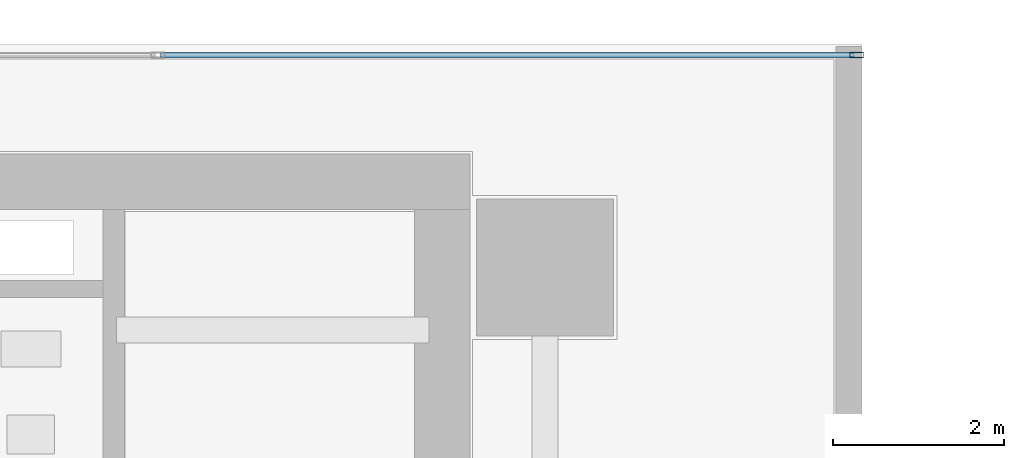
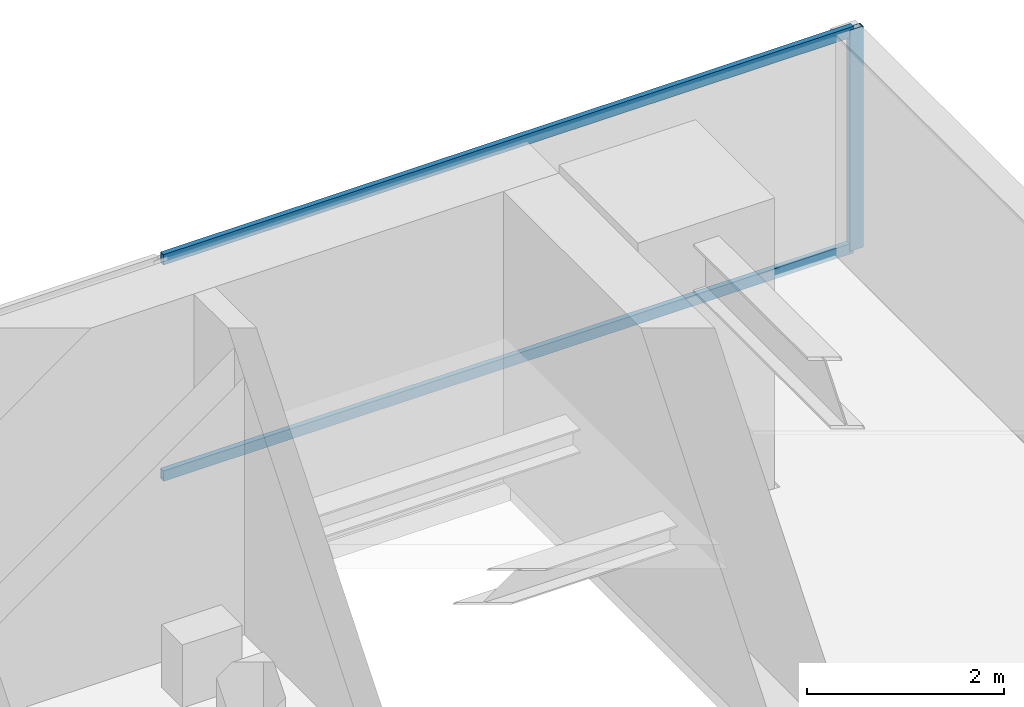
# One storey, part 26 of 37: 3 members, 1 element without a shape of its own.
"""IFC4 building model written with IfcOpenShell, lengths in metres."""

import ifcopenshell
import ifcopenshell.guid

model = None  # the IFC model being written
_history = None  # IfcOwnerHistory: only IFC2X3 demands one
_inside = {}  # id of a spatial element -> (the spatial element, [elements in it])
_under = {}  # id of a project, library or spatial element -> (it, [spatial elements below it])
_declared = {}  # id of a project -> (the project, [libraries it declares])
_typed = {}  # id of a type object -> (the type object, [elements of that type])
_made_of = {}  # id of a material, layer set ... -> (it, [elements and type objects made of it])


def new_model(schema):
    """Start an empty IFC model of exactly this schema.

    Asked for "IFC4X3", IfcOpenShell would pick the latest addendum, in which some entities
    have other attributes; the version numbers below select the first issue.
    IFC2X3 requires an IfcOwnerHistory on every rooted entity: one is made here for all.
    """
    global model, _history
    if schema == "IFC4X3":
        model = ifcopenshell.file(schema_version=(4, 3, 0, 0))
    else:
        model = ifcopenshell.file(schema=schema)
    _inside.clear()
    _under.clear()
    _declared.clear()
    _typed.clear()
    _made_of.clear()
    _history = None
    if model.schema == "IFC2X3":
        org = make("IfcOrganization", Name="unknown")
        user = make(
            "IfcPersonAndOrganization",
            ThePerson=make("IfcPerson", FamilyName="unknown"),
            TheOrganization=org,
        )
        app = make(
            "IfcApplication",
            ApplicationDeveloper=org,
            Version="unknown",
            ApplicationFullName="unknown",
            ApplicationIdentifier="unknown",
        )
        _history = make(
            "IfcOwnerHistory",
            OwningUser=user,
            OwningApplication=app,
            ChangeAction="ADDED",
            CreationDate=0,
        )
    return model


def make(cls, **values):
    """One entity of the class cls with the attributes given. An attribute that is None is left unset."""
    return model.create_entity(
        cls, **{name: value for name, value in values.items() if value is not None}
    )


def rooted(cls, **values):
    """An entity with a GlobalId (a new one), such as an element, a storey or a relation."""
    return make(cls, GlobalId=ifcopenshell.guid.new(), OwnerHistory=_history, **values)


def si_unit(unit_type, name, prefix=None):
    """IfcSIUnit, for example si_unit("LENGTHUNIT", "METRE", prefix="MILLI")."""
    return make("IfcSIUnit", UnitType=unit_type, Prefix=prefix, Name=name)


def assignment(units):
    """IfcUnitAssignment: the units of a project."""
    return None if units is None else make("IfcUnitAssignment", Units=units)


def point(xyz):
    """IfcCartesianPoint."""
    return None if xyz is None else make("IfcCartesianPoint", Coordinates=xyz)


def direction(xyz):
    """IfcDirection."""
    return None if xyz is None else make("IfcDirection", DirectionRatios=xyz)


def frame(location, z_axis=None, x_axis=None):
    """IfcAxis2Placement3D, a coordinate frame: its origin and axes. An axis left out is left unset."""
    return make(
        "IfcAxis2Placement3D",
        Location=point(location),
        Axis=direction(z_axis),
        RefDirection=direction(x_axis),
    )


def frame_2d(location, x_axis=None):
    """IfcAxis2Placement2D, a coordinate frame in the plane: its origin and x axis."""
    return make(
        "IfcAxis2Placement2D", Location=point(location), RefDirection=direction(x_axis)
    )


def origin():
    """The frame at (0, 0, 0) with its axes left unset."""
    return frame((0.0, 0.0, 0.0))


def origin_2d():
    """The frame at (0, 0) in the plane with its x axis left unset."""
    return frame_2d((0.0, 0.0))


def place(relative_to, where):
    """IfcLocalPlacement: puts the frame where relative to a parent placement (None: the world)."""
    return make(
        "IfcLocalPlacement", PlacementRelTo=relative_to, RelativePlacement=where
    )


def context(
    kind, dimensions, precision=None, world=None, true_north=None, identifier=None
):
    """IfcGeometricRepresentationContext, for example the 3D "Model" context."""
    return make(
        "IfcGeometricRepresentationContext",
        ContextIdentifier=identifier,
        ContextType=kind,
        CoordinateSpaceDimension=dimensions,
        Precision=precision,
        WorldCoordinateSystem=world,
        TrueNorth=true_north,
    )


def subcontext(parent, identifier, kind, view, scale=None):
    """IfcGeometricRepresentationSubContext, for example "Body" below "Model"."""
    return make(
        "IfcGeometricRepresentationSubContext",
        ContextIdentifier=identifier,
        ContextType=kind,
        ParentContext=parent,
        TargetScale=scale,
        TargetView=view,
    )


def project(units=None, contexts=None):
    """IfcProject with its units and contexts."""
    return rooted(
        "IfcProject",
        Name="project",
        RepresentationContexts=contexts,
        UnitsInContext=assignment(units),
    )


def spatial(cls, under=None, at=None, **own):
    """A site, building, storey or space (cls), placed at a placement, below another one or the project."""
    s = rooted(cls, ObjectPlacement=at, **own)
    if under is not None:
        _under.setdefault(under.id(), (under, []))[1].append(s)
    return s


def profile(cls, at=None, kind="AREA", **sizes):
    """A parametric profile (cls). Its sizes go by their IFC names, for example OverallWidth=200.0."""
    return make(cls, ProfileType=kind, Position=at, **sizes)


def hollow_rectangle(**sizes):
    """IfcRectangleHollowProfileDef."""
    return profile("IfcRectangleHollowProfileDef", **sizes)


def extrude(swept, where, along, depth):
    """IfcExtrudedAreaSolid: the profile swept, set in the frame where, extruded along a direction by depth."""
    return make(
        "IfcExtrudedAreaSolid",
        SweptArea=swept,
        Position=where,
        ExtrudedDirection=direction(along),
        Depth=depth,
    )


def shape(context_of_items, identifier, shape_type, items):
    """IfcShapeRepresentation: the items that make up one representation, for example the "Body"."""
    return make(
        "IfcShapeRepresentation",
        ContextOfItems=context_of_items,
        RepresentationIdentifier=identifier,
        RepresentationType=shape_type,
        Items=items,
    )


def source(mapping_origin, context_of_items, identifier, shape_type, items):
    """IfcRepresentationMap: a shape defined once, which mapped items show again and again."""
    return make(
        "IfcRepresentationMap",
        MappingOrigin=mapping_origin,
        MappedRepresentation=shape(context_of_items, identifier, shape_type, items),
    )


def transform(
    local_origin,
    x_axis=None,
    y_axis=None,
    z_axis=None,
    scale=None,
    scale2=None,
    scale3=None,
    uniform=True,
):
    """IfcCartesianTransformationOperator3D, or its non-uniform kind. x_axis, y_axis, z_axis: its Axis1, 2, 3."""
    if uniform:
        return make(
            "IfcCartesianTransformationOperator3D",
            Axis1=direction(x_axis),
            Axis2=direction(y_axis),
            LocalOrigin=point(local_origin),
            Scale=scale,
            Axis3=direction(z_axis),
        )
    return make(
        "IfcCartesianTransformationOperator3DnonUniform",
        Axis1=direction(x_axis),
        Axis2=direction(y_axis),
        LocalOrigin=point(local_origin),
        Scale=scale,
        Axis3=direction(z_axis),
        Scale2=scale2,
        Scale3=scale3,
    )


def mapped(mapping_source, mapping_target):
    """IfcMappedItem: shows the shape of a source again, moved by a transform."""
    return make(
        "IfcMappedItem", MappingSource=mapping_source, MappingTarget=mapping_target
    )


def material(Name=None, Category=None):
    """IfcMaterial."""
    return make("IfcMaterial", Name=Name, Category=Category)


def layer(
    of_material, thickness, ventilated=None, Name=None, Category=None, Priority=None
):
    """IfcMaterialLayer: one layer of a wall or slab, of a material (None: an air gap)."""
    return make(
        "IfcMaterialLayer",
        Material=of_material,
        LayerThickness=thickness,
        IsVentilated=ventilated,
        Name=Name,
        Category=Category,
        Priority=Priority,
    )


def layer_set(layers, Name=None):
    """IfcMaterialLayerSet."""
    return make("IfcMaterialLayerSet", MaterialLayers=layers, LayerSetName=Name)


def material_profile(
    of_material, cross_section, Name=None, Category=None, Priority=None
):
    """IfcMaterialProfile: a cross section and its material."""
    return make(
        "IfcMaterialProfile",
        Name=Name,
        Material=of_material,
        Profile=cross_section,
        Priority=Priority,
        Category=Category,
    )


def profile_set(profiles, Name=None, composite=None):
    """IfcMaterialProfileSet."""
    return make(
        "IfcMaterialProfileSet",
        Name=Name,
        MaterialProfiles=profiles,
        CompositeProfile=composite,
    )


def made_of(thing, what):
    """Note that an element or type object is made of a material, layer set ...; save() writes the relation."""
    if what is not None:
        _made_of.setdefault(what.id(), (what, []))[1].append(thing)
    return thing


def type_object(cls, material=None, **own):
    """A type object (cls), such as IfcWallType, which elements share."""
    return made_of(rooted(cls, **own), material)


def element(
    cls,
    number,
    at=None,
    inside=None,
    cuts=None,
    type_object=None,
    material=None,
    context=None,
    identifier="Body",
    shape_type=None,
    held_by="IfcProductDefinitionShape",
    body=None,
    shapes=None,
    **own,
):
    """One element of the class cls, such as IfcWall. Its Tag is "e" and its number.

    at: its placement. inside: the storey or other place that contains it. cuts: it is an
    opening in that element (IfcRelVoidsElement). A single representation is given by context,
    identifier, shape_type and body (its items); several are given by shapes. held_by: the class
    of the entity that holds the representations. save() writes the other relations.
    """
    e = rooted(cls, Tag="e%d" % number, ObjectPlacement=at, **own)
    if body is not None:
        shapes = [shape(context, identifier, shape_type, body)]
    if shapes is not None:
        e.Representation = make(held_by, Representations=shapes)
    if inside is not None:
        _inside.setdefault(inside.id(), (inside, []))[1].append(e)
    if cuts is not None:
        rooted(
            "IfcRelVoidsElement", RelatingBuildingElement=cuts, RelatedOpeningElement=e
        )
    if type_object is not None:
        _typed.setdefault(type_object.id(), (type_object, []))[1].append(e)
    return made_of(e, material)


def aggregate(whole, parts):
    """IfcRelAggregates: a whole, such as a stair, and the parts it consists of."""
    return rooted("IfcRelAggregates", RelatingObject=whole, RelatedObjects=parts)


def save(model, path):
    """Write the relations noted so far, then the file.

    IfcRelAggregates (storeys below a building ...), IfcRelContainedInSpatialStructure (elements
    in a storey), IfcRelDefinesByType, IfcRelAssociatesMaterial and IfcRelDeclares: one each for
    every whole, place, type object, material and project.
    """
    for whole, parts in _under.values():
        aggregate(whole, parts)
    for where, things in _inside.values():
        rooted(
            "IfcRelContainedInSpatialStructure",
            RelatedElements=things,
            RelatingStructure=where,
        )
    for kind, things in _typed.values():
        rooted("IfcRelDefinesByType", RelatedObjects=things, RelatingType=kind)
    for what, things in _made_of.values():
        rooted("IfcRelAssociatesMaterial", RelatedObjects=things, RelatingMaterial=what)
    for by, libraries in _declared.values():
        rooted("IfcRelDeclares", RelatingContext=by, RelatedDefinitions=libraries)
    model.write(path)


model = new_model("IFC4")

# Units and contexts
model_context = context("Model", 3, precision=1e-05, world=origin(), true_north=direction((0.0, 1.0)))
body_context = subcontext(model_context, "Body", "Model", "MODEL_VIEW")
ifc_project = project(units=[si_unit("LENGTHUNIT", "METRE"), si_unit("AREAUNIT", "SQUARE_METRE"), si_unit("VOLUMEUNIT", "CUBIC_METRE"), si_unit("PLANEANGLEUNIT", "RADIAN"), si_unit("MASSUNIT", "GRAM", prefix="KILO")], contexts=[model_context])

# Site, building, storey
site_placement = place(None, origin())
site = spatial("IfcSite", under=ifc_project, at=site_placement, CompositionType="ELEMENT")
building_placement = place(site_placement, origin())
building = spatial("IfcBuilding", under=site, at=building_placement, Name="Sumidabori Civic Tower", CompositionType="ELEMENT")
storey_placement = place(building_placement, frame((0.0, 0.0, 110.0)))
storey = spatial("IfcBuildingStorey", under=building, at=storey_placement, Name="L28", CompositionType="ELEMENT", Elevation=110.0)

# Curtain wall, members
ifc_material = material(Name="Anodised Bronze Aluminium AW-6063-T6", Category="aluminium")
ifc_layer = layer(ifc_material, 0.179931640625, Name="Anodised Bronze Aluminium AW-6063-T6")
ifc_layer_set = layer_set([ifc_layer], Name="Anodised Bronze Aluminium AW-6063-T6")
curtain_wall_type = type_object("IfcCurtainWallType", Name="CW-SYS-3", PredefinedType="NOTDEFINED", material=ifc_layer_set)
curtain_wall_placement = place(storey_placement, origin())
curtain_wall = element("IfcCurtainWall", 1, at=curtain_wall_placement, inside=storey, type_object=curtain_wall_type, Name="Curtain Wall CW:L28:R07", PredefinedType="NOTDEFINED")
ifc_material_profile_1 = material_profile(ifc_material, hollow_rectangle(XDim=0.06494140625, YDim=0.159912109375, WallThickness=0.0048828125, at=origin_2d()), Name="ALU MULLION 160x65")
ifc_profile_set_1 = profile_set([ifc_material_profile_1], Name="Anodised Bronze Aluminium AW-6063-T6")
member_type_1 = type_object("IfcMemberType", Name="CW-MUL-160", PredefinedType="MULLION", material=ifc_profile_set_1)
shared_shape_1 = source(origin(), body_context, "Body", "SweptSolid", [
    extrude(hollow_rectangle(XDim=0.06494140625, YDim=0.159912109375, WallThickness=0.0048828125, at=origin_2d()), origin(), (0.0, 0.0, 1.0), 2.739990234375),
])
member_1_placement = place(storey_placement, frame((20.4375, 25.280029296875, 0.0), z_axis=(0.0, 0.0, 1.0), x_axis=(0.0, -1.0, 0.0)))
member_1 = element("IfcMember", 2, at=member_1_placement, type_object=member_type_1, Name="CW-3 mullion 1", PredefinedType="MULLION", context=body_context, shape_type="MappedRepresentation", body=[
    mapped(shared_shape_1, transform((0.0, 0.0, 0.0), x_axis=(1.0, 0.0, 0.0), y_axis=(0.0, 1.0, 0.0), z_axis=(0.0, 0.0, 1.0), scale=1.0)),
])
ifc_material_profile_2 = material_profile(ifc_material, hollow_rectangle(XDim=0.06005859375, YDim=0.1298828125, WallThickness=0.0048828125, at=origin_2d()), Name="ALU TRANSOM 130x60")
ifc_profile_set_2 = profile_set([ifc_material_profile_2], Name="Anodised Bronze Aluminium AW-6063-T6")
member_type_2 = type_object("IfcMemberType", Name="CW-TRN-130", PredefinedType="USERDEFINED", material=ifc_profile_set_2)
shared_shape_2 = source(origin(), body_context, "Body", "SweptSolid", [
    extrude(hollow_rectangle(XDim=0.06005859375, YDim=0.1298828125, WallThickness=0.0048828125, at=origin_2d()), origin(), (0.0, 0.0, 1.0), 8.090576171875),
])
member_2_placement = place(storey_placement, frame((20.405029296875, 25.280029296875, 0.030029296875), z_axis=(-1.0, 0.0, 0.0), x_axis=(0.0, -1.0, 0.0)))
member_2 = element("IfcMember", 3, at=member_2_placement, type_object=member_type_2, Name="CW-3 transom 1.1", ObjectType="TRANSOM", PredefinedType="USERDEFINED", context=body_context, shape_type="MappedRepresentation", body=[
    mapped(shared_shape_2, transform((0.0, 0.0, 0.0), x_axis=(1.0, 0.0, 0.0), y_axis=(0.0, 1.0, 0.0), z_axis=(0.0, 0.0, 1.0), scale=1.0)),
])
member_3_placement = place(storey_placement, frame((20.405029296875, 25.280029296875, 2.7099609375), z_axis=(-1.0, 0.0, 0.0), x_axis=(0.0, -1.0, 0.0)))
member_3 = element("IfcMember", 4, at=member_3_placement, type_object=member_type_2, Name="CW-3 transom 1.2", ObjectType="TRANSOM", PredefinedType="USERDEFINED", context=body_context, shape_type="MappedRepresentation", body=[
    mapped(shared_shape_2, transform((0.0, 0.0, 0.0), x_axis=(1.0, 0.0, 0.0), y_axis=(0.0, 1.0, 0.0), z_axis=(0.0, 0.0, 1.0), scale=1.0)),
])
aggregate(curtain_wall, [member_1, member_2, member_3])

save(model, "model.ifc")
